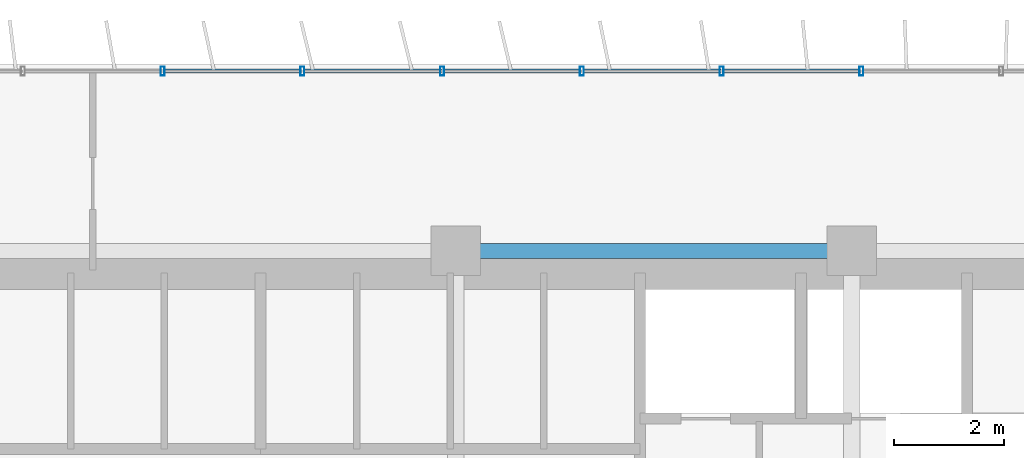
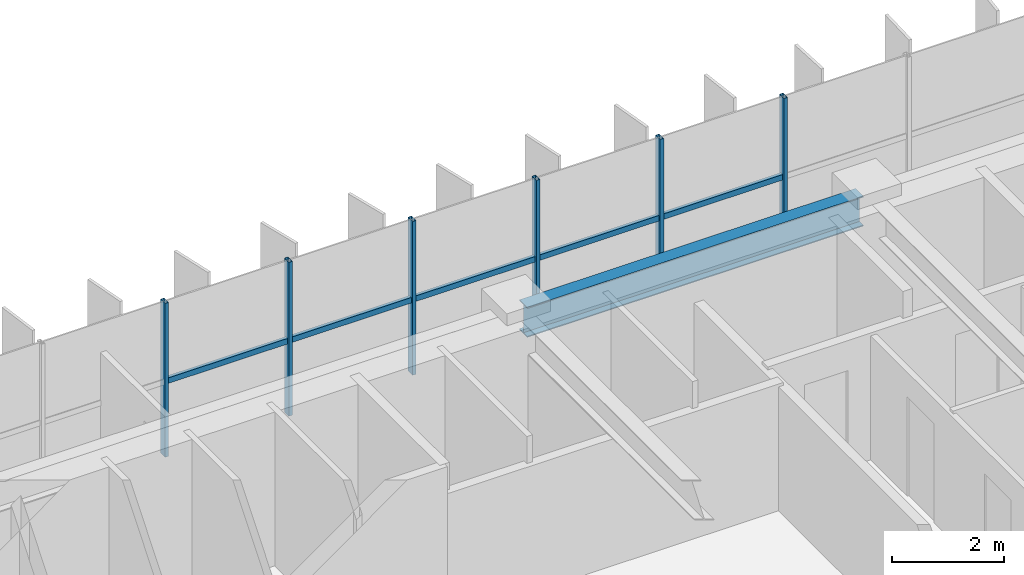
# One storey, part 10 of 21: 11 members, 1 beam, 1 element without a shape of its own.
"""IFC4 building model written with IfcOpenShell, lengths in metres."""

from ifc_helpers import new_model, si_unit, direction, frame, origin, origin_2d, place, context, subcontext, project, spatial, hollow_rectangle, i_section, extrude, source, transform, mapped, material, material_profile, profile_set, type_object, element, aggregate, save


model = new_model("IFC4")

# Units and contexts
model_context = context("Model", 3, precision=1e-05, world=origin(), true_north=direction((0.0, 1.0)))
body_context = subcontext(model_context, "Body", "Model", "MODEL_VIEW")
ifc_project = project(units=[si_unit("LENGTHUNIT", "METRE"), si_unit("AREAUNIT", "SQUARE_METRE"), si_unit("VOLUMEUNIT", "CUBIC_METRE"), si_unit("PLANEANGLEUNIT", "RADIAN"), si_unit("MASSUNIT", "GRAM", prefix="KILO")], contexts=[model_context])

# Site, building, storey
site_placement = place(None, origin())
site = spatial("IfcSite", under=ifc_project, at=site_placement, CompositionType="ELEMENT")
building_placement = place(site_placement, origin())
building = spatial("IfcBuilding", under=site, at=building_placement, Name="Trelvane Seafront Commons", CompositionType="ELEMENT")
storey_placement = place(building_placement, frame((0.0, 0.0, 34.300048828125)))
storey = spatial("IfcBuildingStorey", under=building, at=storey_placement, Name="L08", CompositionType="ELEMENT", Elevation=34.300048828125)

# Beam
ifc_material_1 = material(Name="Steel SM355 (S355)", Category="steel")
ifc_material_profile_1 = material_profile(ifc_material_1, i_section(OverallWidth=0.280029296875, OverallDepth=0.64990234375, WebThickness=0.012939453125, FlangeThickness=0.02197265625, at=origin_2d()), Name="H-650x280x13x22")
ifc_profile_set_1 = profile_set([ifc_material_profile_1], Name="Steel SM355 (S355)")
beam_type = type_object("IfcBeamType", Name="STR-BM-H650", PredefinedType="BEAM", material=ifc_profile_set_1)
shared_shape_1 = source(origin(), body_context, "Body", "SweptSolid", [
    extrude(i_section(OverallWidth=0.280029296875, OverallDepth=0.64990234375, WebThickness=0.012939453125, FlangeThickness=0.02197265625, at=origin_2d()), origin(), (0.0, 0.0, 1.0), 6.900146484375),
])
beam_placement = place(storey_placement, frame((43.949951171875, 45.10009765625, 3.014892578125), z_axis=(1.0, 0.0, 0.0), x_axis=(0.0, 1.0, 0.0)))
element("IfcBeam", 1, at=beam_placement, inside=storey, type_object=beam_type, Name="L08 Primary Girder G-33", PredefinedType="BEAM", context=body_context, shape_type="MappedRepresentation", body=[
    mapped(shared_shape_1, transform((0.0, 0.0, 0.0), x_axis=(1.0, 0.0, 0.0), y_axis=(0.0, 1.0, 0.0), z_axis=(0.0, 0.0, 1.0), scale=1.0)),
])

# Curtain wall, members
ifc_material_2 = material(Name="Anodised pale-silver aluminium", Category="aluminium")
curtain_wall_type = type_object("IfcCurtainWallType", Name="ARCH-CW2-LOWTOWER", PredefinedType="NOTDEFINED", material=ifc_material_2)
curtain_wall_placement = place(storey_placement, origin())
curtain_wall = element("IfcCurtainWall", 2, at=curtain_wall_placement, inside=storey, type_object=curtain_wall_type, Name="CW-L08-0032", PredefinedType="NOTDEFINED")
ifc_material_profile_2 = material_profile(ifc_material_2, hollow_rectangle(XDim=0.070068359375, YDim=0.1201171875, WallThickness=0.00390625, at=origin_2d()), Name="TRAN-70x120x4")
ifc_profile_set_2 = profile_set([ifc_material_profile_2], Name="Anodised pale-silver aluminium")
member_type_1 = type_object("IfcMemberType", Name="ARCH-CW-TRAN-120", PredefinedType="USERDEFINED", material=ifc_profile_set_2)
shared_shape_2 = source(origin(), body_context, "Body", "SweptSolid", [
    extrude(hollow_rectangle(XDim=0.070068359375, YDim=0.1201171875, WallThickness=0.00390625, at=origin_2d()), origin(), (0.0, 0.0, 1.0), 2.51708984375),
])
member_1_placement = place(storey_placement, frame((38.482666015625, 48.3701171875, 1.60302734375), z_axis=(1.0, 0.0, 0.0), x_axis=(0.0, 1.0, 0.0)))
member_1 = element("IfcMember", 3, at=member_1_placement, type_object=member_type_1, Name="CW-L08-0032-T09", ObjectType="TRANSOM", PredefinedType="USERDEFINED", context=body_context, shape_type="MappedRepresentation", body=[
    mapped(shared_shape_2, transform((0.0, 0.0, 0.0), x_axis=(1.0, 0.0, 0.0), y_axis=(0.0, 1.0, 0.0), z_axis=(0.0, 0.0, 1.0), scale=1.0)),
])
member_2_placement = place(storey_placement, frame((43.56494140625, 48.3701171875, 1.60302734375), z_axis=(1.0, 0.0, 0.0), x_axis=(0.0, 1.0, 0.0)))
member_2 = element("IfcMember", 4, at=member_2_placement, type_object=member_type_1, Name="CW-L08-0032-T11", ObjectType="TRANSOM", PredefinedType="USERDEFINED", context=body_context, shape_type="MappedRepresentation", body=[
    mapped(shared_shape_2, transform((0.0, 0.0, 0.0), x_axis=(1.0, 0.0, 0.0), y_axis=(0.0, 1.0, 0.0), z_axis=(0.0, 0.0, 1.0), scale=1.0)),
])
member_3_placement = place(storey_placement, frame((46.106201171875, 48.3701171875, 1.60302734375), z_axis=(1.0, 0.0, 0.0), x_axis=(0.0, 1.0, 0.0)))
member_3 = element("IfcMember", 5, at=member_3_placement, type_object=member_type_1, Name="CW-L08-0032-T12", ObjectType="TRANSOM", PredefinedType="USERDEFINED", context=body_context, shape_type="MappedRepresentation", body=[
    mapped(shared_shape_2, transform((0.0, 0.0, 0.0), x_axis=(1.0, 0.0, 0.0), y_axis=(0.0, 1.0, 0.0), z_axis=(0.0, 0.0, 1.0), scale=1.0)),
])
shared_shape_3 = source(origin(), body_context, "Body", "SweptSolid", [
    extrude(hollow_rectangle(XDim=0.070068359375, YDim=0.1201171875, WallThickness=0.00390625, at=origin_2d()), origin(), (0.0, 0.0, 1.0), 2.517333984375),
])
member_4_placement = place(storey_placement, frame((41.023681640625, 48.3701171875, 1.60302734375), z_axis=(1.0, 0.0, 0.0), x_axis=(0.0, 1.0, 0.0)))
member_4 = element("IfcMember", 6, at=member_4_placement, type_object=member_type_1, Name="CW-L08-0032-T10", ObjectType="TRANSOM", PredefinedType="USERDEFINED", context=body_context, shape_type="MappedRepresentation", body=[
    mapped(shared_shape_3, transform((0.0, 0.0, 0.0), x_axis=(1.0, 0.0, 0.0), y_axis=(0.0, 1.0, 0.0), z_axis=(0.0, 0.0, 1.0), scale=1.0)),
])
member_5_placement = place(storey_placement, frame((48.647216796875, 48.3701171875, 1.60302734375), z_axis=(1.0, 0.0, 0.0), x_axis=(0.0, 1.0, 0.0)))
member_5 = element("IfcMember", 7, at=member_5_placement, type_object=member_type_1, Name="CW-L08-0032-T13", ObjectType="TRANSOM", PredefinedType="USERDEFINED", context=body_context, shape_type="MappedRepresentation", body=[
    mapped(shared_shape_3, transform((0.0, 0.0, 0.0), x_axis=(1.0, 0.0, 0.0), y_axis=(0.0, 1.0, 0.0), z_axis=(0.0, 0.0, 1.0), scale=1.0)),
])
ifc_material_profile_3 = material_profile(ifc_material_2, hollow_rectangle(XDim=0.074951171875, YDim=0.159912109375, WallThickness=0.00390625, at=origin_2d()), Name="MULL-75x160x4")
ifc_profile_set_3 = profile_set([ifc_material_profile_3], Name="Anodised pale-silver aluminium")
member_type_2 = type_object("IfcMemberType", Name="ARCH-CW-MULL-160", PredefinedType="MULLION", material=ifc_profile_set_3)
shared_shape_4 = source(origin(), body_context, "Body", "SweptSolid", [
    extrude(hollow_rectangle(XDim=0.074951171875, YDim=0.159912109375, WallThickness=0.00390625, at=origin_2d()), origin(), (0.0, 0.0, 1.0), 3.33984375),
])
member_6_placement = place(storey_placement, frame((38.470703125, 48.3701171875, 0.0), z_axis=(0.0, 0.0, 1.0), x_axis=(1.0, 0.0, 0.0)))
member_6 = element("IfcMember", 8, at=member_6_placement, type_object=member_type_2, Name="CW-L08-0032-M09", PredefinedType="MULLION", context=body_context, shape_type="MappedRepresentation", body=[
    mapped(shared_shape_4, transform((0.0, 0.0, 0.0), x_axis=(1.0, 0.0, 0.0), y_axis=(0.0, 1.0, 0.0), z_axis=(0.0, 0.0, 1.0), scale=1.0)),
])
member_7_placement = place(storey_placement, frame((41.01171875, 48.3701171875, 0.0), z_axis=(0.0, 0.0, 1.0), x_axis=(1.0, 0.0, 0.0)))
member_7 = element("IfcMember", 9, at=member_7_placement, type_object=member_type_2, Name="CW-L08-0032-M10", PredefinedType="MULLION", context=body_context, shape_type="MappedRepresentation", body=[
    mapped(shared_shape_4, transform((0.0, 0.0, 0.0), x_axis=(1.0, 0.0, 0.0), y_axis=(0.0, 1.0, 0.0), z_axis=(0.0, 0.0, 1.0), scale=1.0)),
])
member_8_placement = place(storey_placement, frame((43.552978515625, 48.3701171875, 0.0), z_axis=(0.0, 0.0, 1.0), x_axis=(1.0, 0.0, 0.0)))
member_8 = element("IfcMember", 10, at=member_8_placement, type_object=member_type_2, Name="CW-L08-0032-M11", PredefinedType="MULLION", context=body_context, shape_type="MappedRepresentation", body=[
    mapped(shared_shape_4, transform((0.0, 0.0, 0.0), x_axis=(1.0, 0.0, 0.0), y_axis=(0.0, 1.0, 0.0), z_axis=(0.0, 0.0, 1.0), scale=1.0)),
])
member_9_placement = place(storey_placement, frame((46.093994140625, 48.3701171875, 0.0), z_axis=(0.0, 0.0, 1.0), x_axis=(1.0, 0.0, 0.0)))
member_9 = element("IfcMember", 11, at=member_9_placement, type_object=member_type_2, Name="CW-L08-0032-M12", PredefinedType="MULLION", context=body_context, shape_type="MappedRepresentation", body=[
    mapped(shared_shape_4, transform((0.0, 0.0, 0.0), x_axis=(1.0, 0.0, 0.0), y_axis=(0.0, 1.0, 0.0), z_axis=(0.0, 0.0, 1.0), scale=1.0)),
])
member_10_placement = place(storey_placement, frame((48.63525390625, 48.3701171875, 0.0), z_axis=(0.0, 0.0, 1.0), x_axis=(1.0, 0.0, 0.0)))
member_10 = element("IfcMember", 12, at=member_10_placement, type_object=member_type_2, Name="CW-L08-0032-M13", PredefinedType="MULLION", context=body_context, shape_type="MappedRepresentation", body=[
    mapped(shared_shape_4, transform((0.0, 0.0, 0.0), x_axis=(1.0, 0.0, 0.0), y_axis=(0.0, 1.0, 0.0), z_axis=(0.0, 0.0, 1.0), scale=1.0)),
])
member_11_placement = place(storey_placement, frame((51.176513671875, 48.3701171875, 0.0), z_axis=(0.0, 0.0, 1.0), x_axis=(1.0, 0.0, 0.0)))
member_11 = element("IfcMember", 13, at=member_11_placement, type_object=member_type_2, Name="CW-L08-0032-M14", PredefinedType="MULLION", context=body_context, shape_type="MappedRepresentation", body=[
    mapped(shared_shape_4, transform((0.0, 0.0, 0.0), x_axis=(1.0, 0.0, 0.0), y_axis=(0.0, 1.0, 0.0), z_axis=(0.0, 0.0, 1.0), scale=1.0)),
])
aggregate(curtain_wall, [member_6, member_7, member_8, member_9, member_10, member_11, member_1, member_4, member_2, member_3, member_5])

save(model, "model.ifc")
